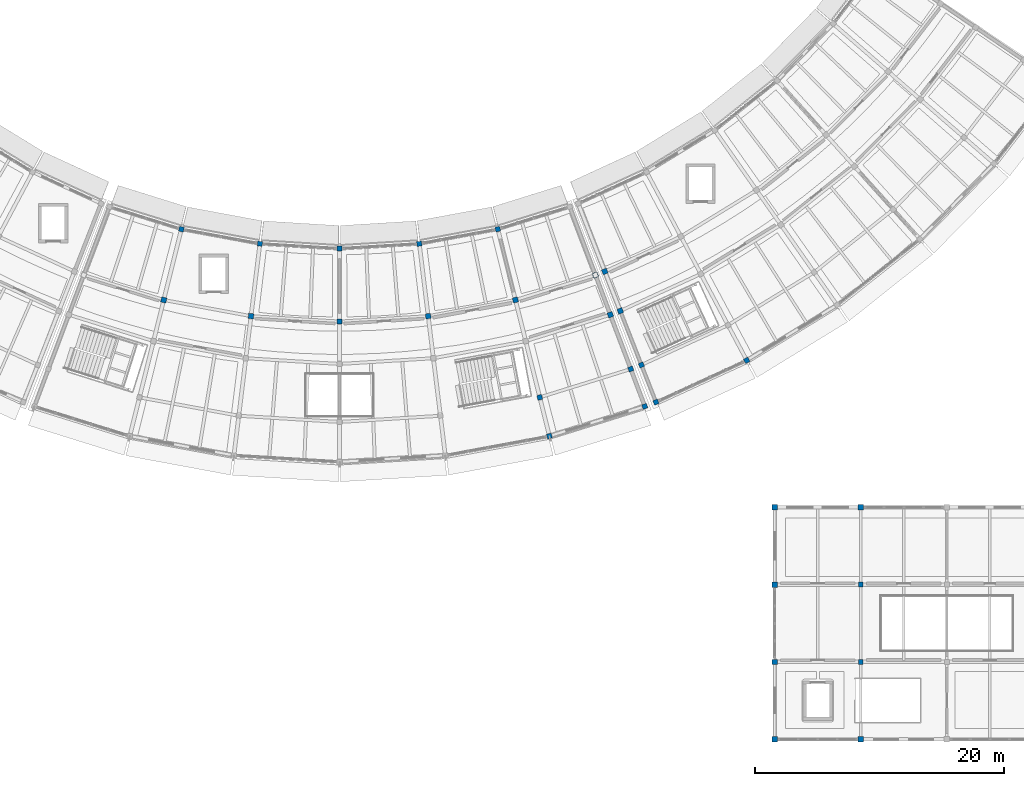
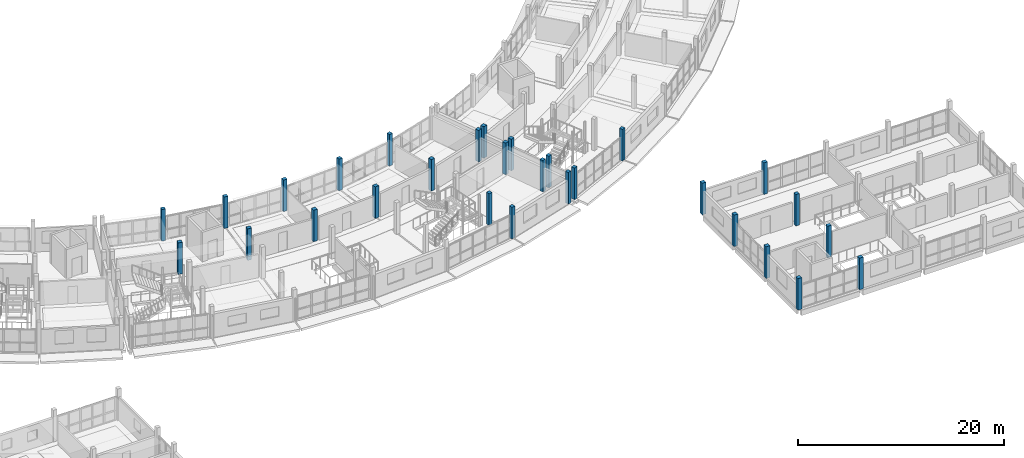
# One storey, part 10 of 77: 29 columns.
"""IFC4 building model written with IfcOpenShell, lengths in metres."""

from ifc_helpers import new_model, si_unit, direction, frame, origin, origin_2d, place, context, subcontext, project, spatial, rectangle, extrude, material, material_profile, profile_set, type_object, element, save


model = new_model("IFC4")

# Units and contexts
model_context = context("Model", 3, precision=1e-05, world=origin(), true_north=direction((0.0, 1.0)))
body_context = subcontext(model_context, "Body", "Model", "MODEL_VIEW")
ifc_project = project(units=[si_unit("LENGTHUNIT", "METRE"), si_unit("AREAUNIT", "SQUARE_METRE"), si_unit("VOLUMEUNIT", "CUBIC_METRE"), si_unit("PLANEANGLEUNIT", "RADIAN"), si_unit("MASSUNIT", "GRAM", prefix="KILO")], contexts=[model_context])

# Site, building, storey
site_placement = place(None, origin())
site = spatial("IfcSite", under=ifc_project, at=site_placement, CompositionType="ELEMENT")
building_placement = place(site_placement, origin())
building = spatial("IfcBuilding", under=site, at=building_placement, Name="Caldaven Crescent School", CompositionType="ELEMENT")
storey_placement = place(building_placement, frame((0.0, 0.0, 4.419921875)))
storey = spatial("IfcBuildingStorey", under=building, at=storey_placement, Name="L01", CompositionType="ELEMENT", Elevation=4.419921875)

# Columns
ifc_material = material(Name="Glulam MLE24h (GL28h)", Category="wood")
ifc_material_profile_1 = material_profile(ifc_material, rectangle(XDim=0.389892578125, YDim=0.389892578125, at=origin_2d()), Name="MLE 390x390")
ifc_profile_set_1 = profile_set([ifc_material_profile_1], Name="Glulam MLE24h (GL28h)")
column_type_1 = type_object("IfcColumnType", Name="COL-GL39", PredefinedType="COLUMN", material=ifc_profile_set_1)
for number, where, z_axis, x_axis, name in (
    (1, (129.800048828125, 10.39990234375, 0.0), (0.0, 0.0, 1.0), (1.0, 0.0, 0.0), "COL-V3-L01-1-1"),
    (2, (129.800048828125, 16.60009765625, 0.0), (0.0, 0.0, 1.0), (1.0, 0.0, 0.0), "COL-V3-L01-1-2"),
    (3, (75.311279296875, 45.10791015625, 0.0), (0.0, 0.0, 1.0), (-0.2419218956, -0.970295726276, 0.0), "COL-V5-L01-01-0"),
    (4, (81.60791015625, 43.94091796875, 0.0), (0.0, 0.0, 1.0), (-0.121869343405, -0.992546151641, 0.0), "COL-V5-L01-02-0"),
    (5, (88.0, 43.550048828125, 0.0), (0.0, 0.0, 1.0), (0.0, -1.0, 0.0), "COL-V5-L01-03-0"),
    (6, (94.39208984375, 43.94091796875, 0.0), (0.0, 0.0, 1.0), (0.121869343405, -0.992546151641, 0.0), "COL-V5-L01-04-0"),
    (7, (100.688720703125, 45.10791015625, 0.0), (0.0, 0.0, 1.0), (0.2419218956, -0.970295726276, 0.0), "COL-V5-L01-05-0"),
    (8, (104.051513671875, 31.620849609375, 0.0), (0.0, 0.0, 1.0), (0.2419218956, -0.970295726276, 0.0), "COL-V5-L01-05-3"),
    (9, (104.82568359375, 28.515869140625, 0.0), (0.0, 0.0, 1.0), (0.2419218956, -0.970295726276, 0.0), "COL-V5-L01-05-4"),
    (10, (111.3505859375, 33.894775390625, 0.0), (0.0, 0.0, 1.0), (0.352005016254, -0.93599811353, 0.0), "COL-V5-L01-06-3"),
    (11, (112.476806640625, 30.8994140625, 0.0), (0.0, 0.0, 1.0), (0.352005016254, -0.93599811353, 0.0), "COL-V5-L01-06-4"),
    (12, (112.20361328125, 34.22216796875, 0.0), (0.0, 0.0, 1.0), (0.364714278886, -0.931119484694, 0.0), "COL-V4E-L01-00-3"),
    (13, (113.370849609375, 31.24267578125, 0.0), (0.0, 0.0, 1.0), (0.364714278886, -0.931119484694, 0.0), "COL-V4E-L01-00-4"),
    (14, (120.65185546875, 34.591064453125, 0.0), (0.0, 0.0, 1.0), (0.469471562786, -0.882947592859, 0.0), "COL-V4E-L01-01-4"),
):
    element("IfcColumn", number, at=place(storey_placement, frame(where, z_axis=z_axis, x_axis=x_axis)), inside=storey, type_object=column_type_1, Name=name, PredefinedType="COLUMN", context=body_context, shape_type="SweptSolid", body=[
        extrude(rectangle(XDim=0.389892578125, YDim=0.389892578125, at=origin_2d()), origin(), (0.0, 0.0, 1.0), 3.739990234375),
    ])
ifc_material_profile_2 = material_profile(ifc_material, rectangle(XDim=0.419921875, YDim=0.419921875, at=origin_2d()), Name="MLE 420x420")
ifc_profile_set_2 = profile_set([ifc_material_profile_2], Name="Glulam MLE24h (GL28h)")
column_type_2 = type_object("IfcColumnType", Name="COL-GL42", PredefinedType="COLUMN", material=ifc_profile_set_2)
for number, where, z_axis, x_axis, name in (
    (15, (122.89990234375, 4.199951171875, 0.0), (0.0, 0.0, 1.0), (1.0, 0.0, 0.0), "COL-V3-L01-0-0"),
    (16, (122.89990234375, 10.39990234375, 0.0), (0.0, 0.0, 1.0), (1.0, 0.0, 0.0), "COL-V3-L01-0-1"),
    (17, (122.89990234375, 16.60009765625, 0.0), (0.0, 0.0, 1.0), (1.0, 0.0, 0.0), "COL-V3-L01-0-2"),
    (18, (122.89990234375, 22.800048828125, 0.0), (0.0, 0.0, 1.0), (1.0, 0.0, 0.0), "COL-V3-L01-0-3"),
    (19, (129.800048828125, 4.199951171875, 0.0), (0.0, 0.0, 1.0), (1.0, 0.0, 0.0), "COL-V3-L01-1-0"),
    (20, (129.800048828125, 22.800048828125, 0.0), (0.0, 0.0, 1.0), (1.0, 0.0, 0.0), "COL-V3-L01-1-3"),
    (21, (73.89599609375, 39.431640625, 0.0), (0.0, 0.0, 1.0), (-0.2419218956, -0.970295726276, 0.0), "COL-V5-L01-01-1"),
    (22, (80.89501953125, 38.134521484375, 0.0), (0.0, 0.0, 1.0), (-0.121869343405, -0.992546151641, 0.0), "COL-V5-L01-02-1"),
    (23, (88.0, 37.699951171875, 0.0), (0.0, 0.0, 1.0), (0.0, -1.0, 0.0), "COL-V5-L01-03-1"),
    (24, (95.10498046875, 38.134521484375, 0.0), (0.0, 0.0, 1.0), (0.121869343405, -0.992546151641, 0.0), "COL-V5-L01-04-1"),
    (25, (102.10400390625, 39.431640625, 0.0), (0.0, 0.0, 1.0), (0.2419218956, -0.970295726276, 0.0), "COL-V5-L01-05-1"),
    (26, (108.517578125, 41.4296875, 0.0), (0.0, 0.0, 1.0), (0.352005016254, -0.93599811353, 0.0), "COL-V5-L01-06-1"),
    (27, (109.714111328125, 38.247314453125, 0.0), (0.0, 0.0, 1.0), (0.352005016254, -0.93599811353, 0.0), "COL-V5-L01-06-2"),
    (28, (109.26708984375, 41.71728515625, 0.0), (0.0, 0.0, 1.0), (0.364714278886, -0.931119484694, 0.0), "COL-V4E-L01-00-1"),
    (29, (110.50732421875, 38.5517578125, 0.0), (0.0, 0.0, 1.0), (0.364714278886, -0.931119484694, 0.0), "COL-V4E-L01-00-2"),
):
    element("IfcColumn", number, at=place(storey_placement, frame(where, z_axis=z_axis, x_axis=x_axis)), inside=storey, type_object=column_type_2, Name=name, PredefinedType="COLUMN", context=body_context, shape_type="SweptSolid", body=[
        extrude(rectangle(XDim=0.419921875, YDim=0.419921875, at=origin_2d()), origin(), (0.0, 0.0, 1.0), 3.739990234375),
    ])

save(model, "model.ifc")
